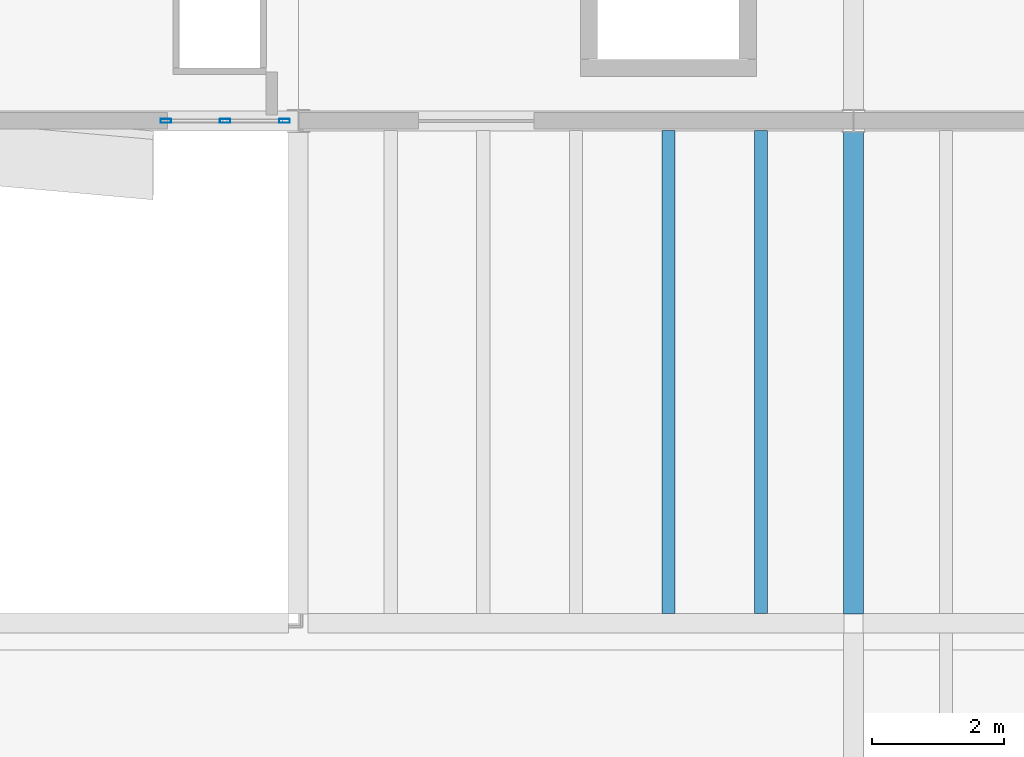
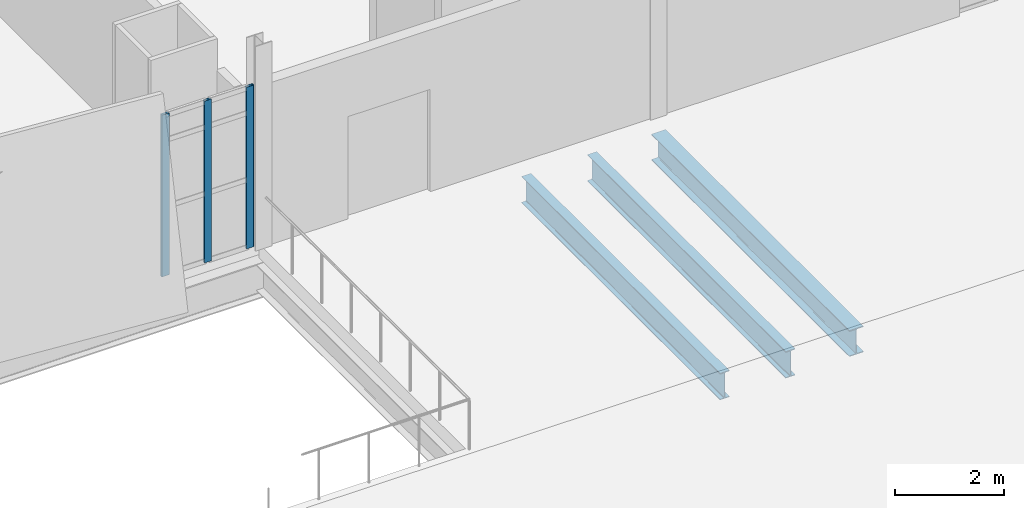
# One storey, part 6 of 74: 3 beams, 3 members, 1 element without a shape of its own.
"""IFC4 building model written with IfcOpenShell, lengths in metres."""

from ifc_helpers import new_model, si_unit, direction, frame, origin, origin_2d, place, context, subcontext, project, spatial, hollow_rectangle, i_section, extrude, material, material_profile, profile_set, type_object, element, aggregate, save


model = new_model("IFC4")

# Units and contexts
model_context = context("Model", 3, precision=1e-05, world=origin(), true_north=direction((0.0, 1.0)))
body_context = subcontext(model_context, "Body", "Model", "MODEL_VIEW")
ifc_project = project(units=[si_unit("LENGTHUNIT", "METRE"), si_unit("AREAUNIT", "SQUARE_METRE"), si_unit("VOLUMEUNIT", "CUBIC_METRE"), si_unit("PLANEANGLEUNIT", "RADIAN"), si_unit("MASSUNIT", "GRAM", prefix="KILO")], contexts=[model_context])

# Site, building, storey
site_placement = place(None, origin())
site = spatial("IfcSite", under=ifc_project, at=site_placement, CompositionType="ELEMENT")
building_placement = place(site_placement, origin())
building = spatial("IfcBuilding", under=site, at=building_placement, Name="Shengluoqiao Park Theatre", CompositionType="ELEMENT")
storey_placement = place(building_placement, frame((0.0, 0.0, 14.60009765625)))
storey = spatial("IfcBuildingStorey", under=building, at=storey_placement, Name="L03", CompositionType="ELEMENT", Elevation=14.60009765625)

# Curtain wall, members
ifc_material_1 = material(Name="Aluminium 6063-T6", Category="aluminium")
curtain_wall_type = type_object("IfcCurtainWallType", Name="ENV-CW-STUDIO", PredefinedType="NOTDEFINED", material=ifc_material_1)
curtain_wall_placement = place(storey_placement, origin())
curtain_wall = element("IfcCurtainWall", 1, at=curtain_wall_placement, inside=storey, type_object=curtain_wall_type, Name="L03 Curtain Wall CWX-L03-0031", PredefinedType="NOTDEFINED")
ifc_material_profile_1 = material_profile(ifc_material_1, hollow_rectangle(XDim=0.06005859375, YDim=0.159912109375, WallThickness=0.00390625, InnerFilletRadius=0.00390625, OuterFilletRadius=0.008056640625, at=origin_2d()), Name="ALU MULLION 160x60x4")
ifc_profile_set_1 = profile_set([ifc_material_profile_1], Name="Aluminium 6063-T6")
member_type = type_object("IfcMemberType", Name="ENV-MUL-160", PredefinedType="MULLION", material=ifc_profile_set_1)
member_1_placement = place(storey_placement, frame((17.197021484375, 30.39990234375, 0.0), z_axis=(0.0, 0.0, 1.0), x_axis=(0.0, 1.0, 0.0)))
member_1 = element("IfcMember", 2, at=member_1_placement, type_object=member_type, Name="CW-02 mullion 1", PredefinedType="MULLION", context=body_context, shape_type="SweptSolid", body=[
    extrude(hollow_rectangle(XDim=0.06005859375, YDim=0.159912109375, WallThickness=0.00390625, InnerFilletRadius=0.00390625, OuterFilletRadius=0.008056640625, at=origin_2d()), origin(), (0.0, 0.0, 1.0), 3.637939453125),
])
member_2_placement = place(storey_placement, frame((18.094482421875, 30.39990234375, 0.0), z_axis=(0.0, 0.0, 1.0), x_axis=(0.0, 1.0, 0.0)))
member_2 = element("IfcMember", 3, at=member_2_placement, type_object=member_type, Name="CW-02 mullion 2", PredefinedType="MULLION", context=body_context, shape_type="SweptSolid", body=[
    extrude(hollow_rectangle(XDim=0.06005859375, YDim=0.159912109375, WallThickness=0.00390625, InnerFilletRadius=0.00390625, OuterFilletRadius=0.008056640625, at=origin_2d()), origin(), (0.0, 0.0, 1.0), 3.637939453125),
])
member_3_placement = place(storey_placement, frame((18.991943359375, 30.39990234375, 0.0), z_axis=(0.0, 0.0, 1.0), x_axis=(0.0, 1.0, 0.0)))
member_3 = element("IfcMember", 4, at=member_3_placement, type_object=member_type, Name="CW-02 mullion 3", PredefinedType="MULLION", context=body_context, shape_type="SweptSolid", body=[
    extrude(hollow_rectangle(XDim=0.06005859375, YDim=0.159912109375, WallThickness=0.00390625, InnerFilletRadius=0.00390625, OuterFilletRadius=0.008056640625, at=origin_2d()), origin(), (0.0, 0.0, 1.0), 3.637939453125),
])
aggregate(curtain_wall, [member_1, member_2, member_3])

# Beams
ifc_material_2 = material(Name="Steel Q355", Category="steel")
ifc_material_profile_2 = material_profile(ifc_material_2, i_section(OverallWidth=0.300048828125, OverallDepth=0.587890625, WebThickness=0.011962890625, FlangeThickness=0.02001953125, FilletRadius=0.02392578125, at=origin_2d()), Name="HM 588x300x12x20")
ifc_profile_set_2 = profile_set([ifc_material_profile_2], Name="Steel Q355")
beam_type_1 = type_object("IfcBeamType", Name="STR-BM-G-HM588", PredefinedType="BEAM", material=ifc_profile_set_2)
beam_placement = place(storey_placement, frame((27.60009765625, 22.944091796875, -0.614013671875), z_axis=(0.0, 1.0, 0.0), x_axis=(-1.0, 0.0, 0.0)))
element("IfcBeam", 5, at=beam_placement, inside=storey, type_object=beam_type_1, Name="L03 Transverse Girder 01774", PredefinedType="BEAM", context=body_context, shape_type="SweptSolid", body=[
    extrude(i_section(OverallWidth=0.300048828125, OverallDepth=0.587890625, WebThickness=0.011962890625, FlangeThickness=0.02001953125, FilletRadius=0.02392578125, at=origin_2d()), origin(), (0.0, 0.0, 1.0), 7.289794921875),
])
ifc_material_profile_3 = material_profile(ifc_material_2, i_section(OverallWidth=0.199951171875, OverallDepth=0.60009765625, WebThickness=0.010986328125, FlangeThickness=0.01708984375, FilletRadius=0.02001953125, at=origin_2d()), Name="HN 600x200x11x17")
ifc_profile_set_3 = profile_set([ifc_material_profile_3], Name="Steel Q355")
beam_type_2 = type_object("IfcBeamType", Name="STR-BM-J-HN600", PredefinedType="JOIST", material=ifc_profile_set_3)
for number, where, z_axis, x_axis, name in (
    (6, (24.800048828125, 22.945068359375, -0.6201171875), (0.0, 1.0, 0.0), (-1.0, 0.0, 0.0), "L03 Composite Joist 01779"),
    (7, (26.199951171875, 22.945068359375, -0.6201171875), (0.0, 1.0, 0.0), (-1.0, 0.0, 0.0), "L03 Composite Joist 01780"),
):
    element("IfcBeam", number, at=place(storey_placement, frame(where, z_axis=z_axis, x_axis=x_axis)), inside=storey, type_object=beam_type_2, Name=name, PredefinedType="JOIST", context=body_context, shape_type="SweptSolid", body=[
        extrude(i_section(OverallWidth=0.199951171875, OverallDepth=0.60009765625, WebThickness=0.010986328125, FlangeThickness=0.01708984375, FilletRadius=0.02001953125, at=origin_2d()), origin(), (0.0, 0.0, 1.0), 7.309814453125),
    ])

save(model, "model.ifc")
